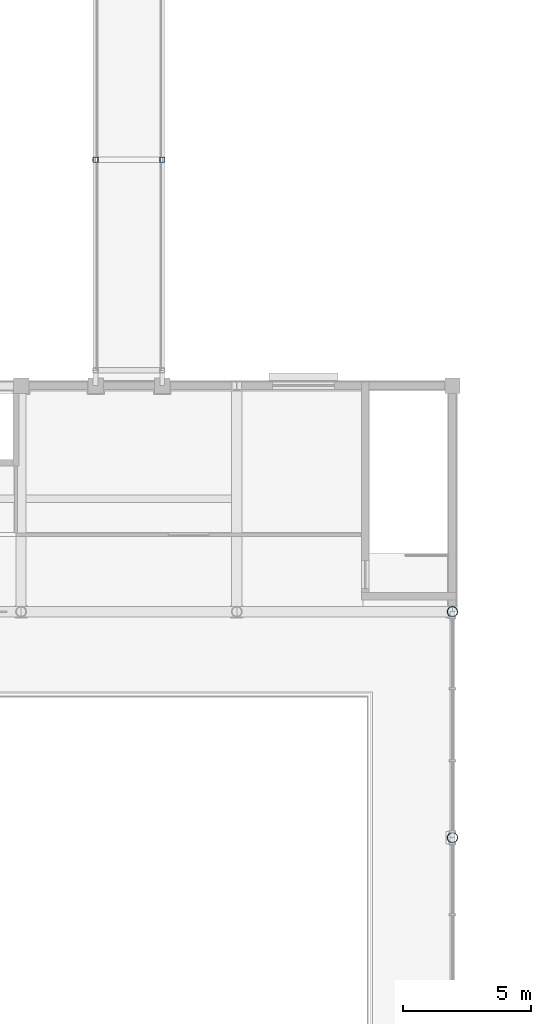
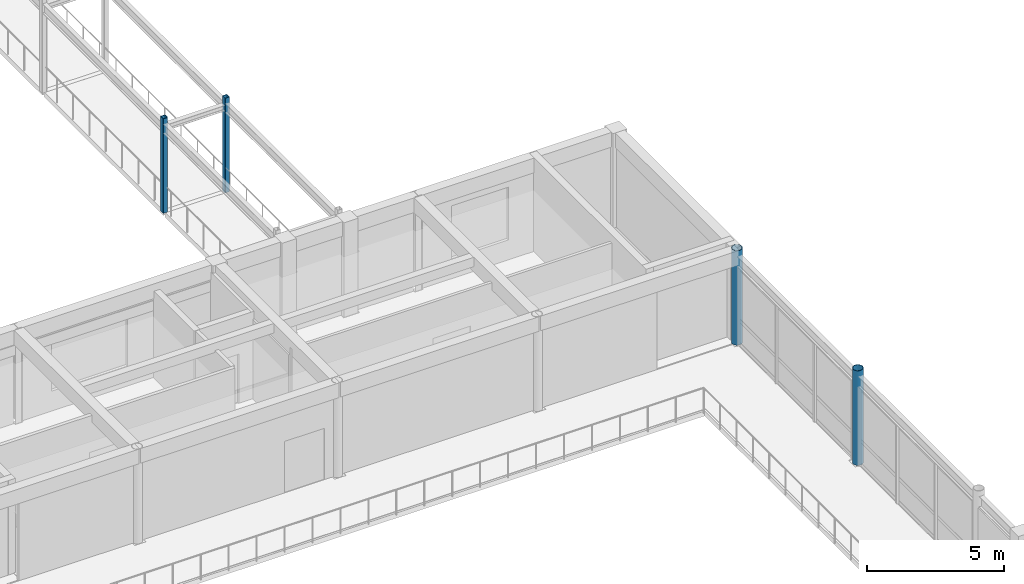
# One storey, part 4 of 57: 4 columns.
"""IFC4 building model written with IfcOpenShell, lengths in metres."""

from ifc_helpers import new_model, si_unit, direction, frame, origin, origin_2d, place, context, subcontext, project, spatial, hollow_rectangle, hollow_circle, extrude, material, material_profile, profile_set, type_object, element, save


model = new_model("IFC4")

# Units and contexts
model_context = context("Model", 3, precision=1e-05, world=origin(), true_north=direction((0.0, 1.0)))
body_context = subcontext(model_context, "Body", "Model", "MODEL_VIEW")
ifc_project = project(units=[si_unit("LENGTHUNIT", "METRE"), si_unit("AREAUNIT", "SQUARE_METRE"), si_unit("VOLUMEUNIT", "CUBIC_METRE"), si_unit("PLANEANGLEUNIT", "RADIAN"), si_unit("MASSUNIT", "GRAM", prefix="KILO")], contexts=[model_context])

# Site, building, storey
site_placement = place(None, origin())
site = spatial("IfcSite", under=ifc_project, at=site_placement, CompositionType="ELEMENT")
building_placement = place(site_placement, origin())
building = spatial("IfcBuilding", under=site, at=building_placement, Name="Kemercrest Conservatory and Botanical Centre", CompositionType="ELEMENT")
storey_placement = place(building_placement, frame((0.0, 0.0, 4.800048828125)))
storey = spatial("IfcBuildingStorey", under=building, at=storey_placement, Name="L01", CompositionType="ELEMENT", Elevation=4.800048828125)

# Columns
ifc_material = material(Name="Steel CSA G40.21 350W", Category="steel")
ifc_material_profile_1 = material_profile(ifc_material, hollow_rectangle(XDim=0.203125, YDim=0.203125, WallThickness=0.0126953125, InnerFilletRadius=0.0126953125, OuterFilletRadius=0.02490234375, at=origin_2d()), Name="HSS 203x203x12.7")
ifc_profile_set_1 = profile_set([ifc_material_profile_1], Name="Steel CSA G40.21 350W")
column_type_1 = type_object("IfcColumnType", Name="C-S203", PredefinedType="COLUMN", material=ifc_profile_set_1)
for number, where, z_axis, x_axis, name in (
    (1, (27.699951171875, 69.60009765625, 0.0), (0.0, 0.0, 1.0), (1.0, 0.0, 0.0), "West Botanical Court Covered Passage SJ-2 support column P1-1"),
    (2, (30.300048828125, 69.60009765625, 0.0), (0.0, 0.0, 1.0), (1.0, 0.0, 0.0), "West Botanical Court Covered Passage SJ-2 support column P1-2"),
):
    element("IfcColumn", number, at=place(storey_placement, frame(where, z_axis=z_axis, x_axis=x_axis)), inside=storey, type_object=column_type_1, Name=name, PredefinedType="COLUMN", context=body_context, shape_type="SweptSolid", body=[
        extrude(hollow_rectangle(XDim=0.203125, YDim=0.203125, WallThickness=0.0126953125, InnerFilletRadius=0.0126953125, OuterFilletRadius=0.02490234375, at=origin_2d()), origin(), (0.0, 0.0, 1.0), 4.199951171875),
    ])
ifc_material_profile_2 = material_profile(ifc_material, hollow_circle(Radius=0.203125, WallThickness=0.01611328125, at=origin_2d()), Name="CHS 406.4x16.0")
ifc_profile_set_2 = profile_set([ifc_material_profile_2], Name="Steel CSA G40.21 350W")
column_type_2 = type_object("IfcColumnType", Name="C-S406", PredefinedType="COLUMN", material=ifc_profile_set_2)
for number, where, z_axis, x_axis, name in (
    (3, (41.60009765625, 43.199951171875, 0.0), (0.0, 0.0, 1.0), (1.0, 0.0, 0.0), "Conservatory perimeter steel column 05/E"),
    (4, (41.60009765625, 52.0, 0.0), (0.0, 0.0, 1.0), (1.0, 0.0, 0.0), "Conservatory perimeter steel column 05/F"),
):
    element("IfcColumn", number, at=place(storey_placement, frame(where, z_axis=z_axis, x_axis=x_axis)), inside=storey, type_object=column_type_2, Name=name, PredefinedType="COLUMN", context=body_context, shape_type="SweptSolid", body=[
        extrude(hollow_circle(Radius=0.203125, WallThickness=0.01611328125, at=origin_2d()), origin(), (0.0, 0.0, 1.0), 4.199951171875),
    ])

save(model, "model.ifc")
